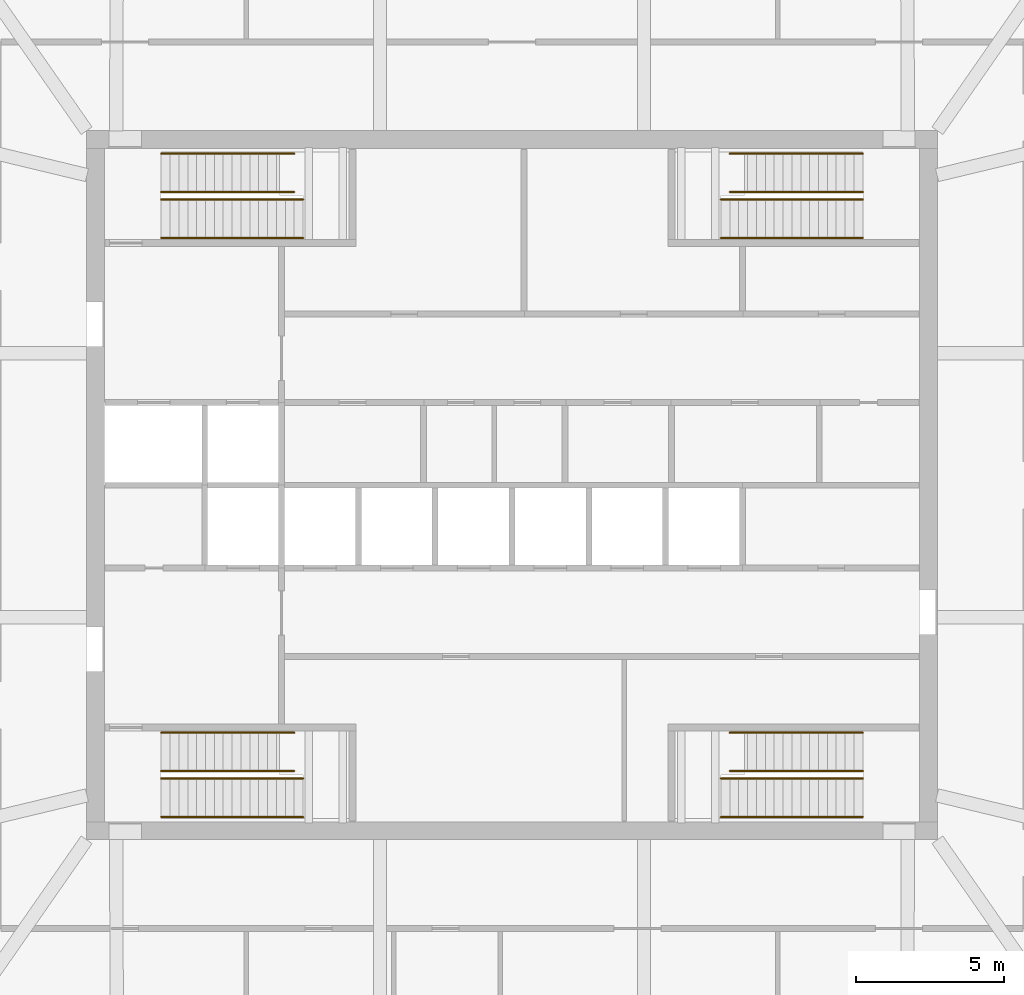
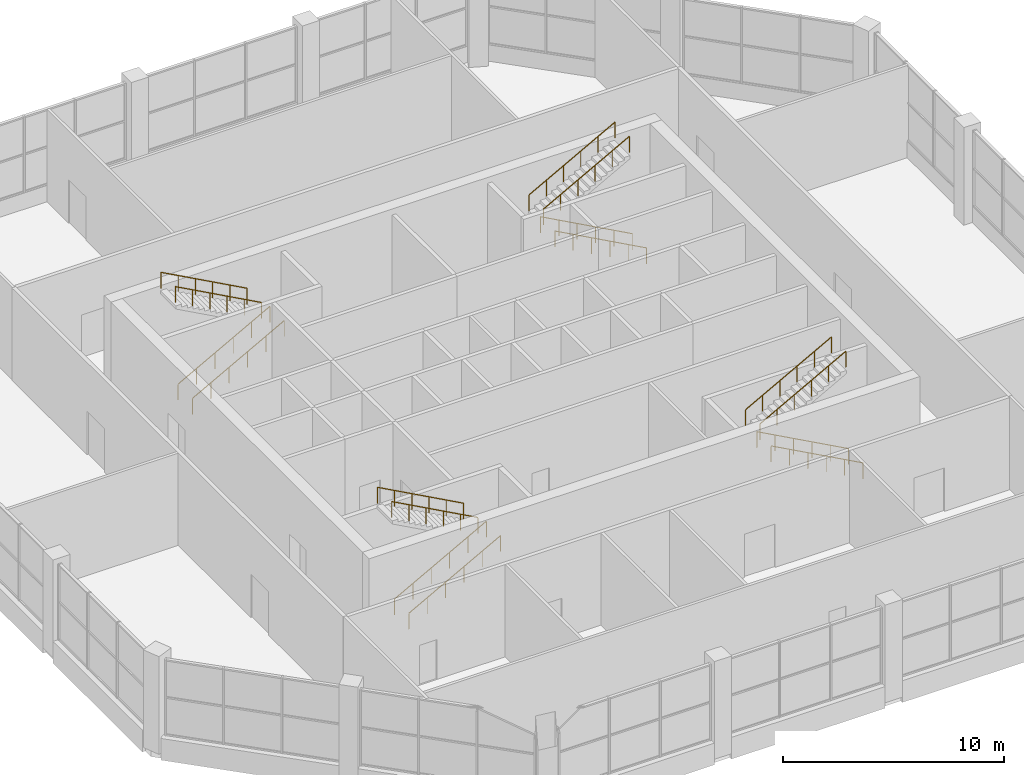
# One storey, part 15 of 15: 16 railings.
"""IFC4 building model written with IfcOpenShell, lengths in metres."""

from ifc_helpers import new_model, si_unit, direction, frame, origin, origin_2d, place, context, subcontext, project, spatial, circle, extrude, material, constituent, constituent_set, type_object, element, save


model = new_model("IFC4")

# Units and contexts
model_context = context("Model", 3, precision=1e-05, world=origin(), true_north=direction((0.0, 1.0)))
body_context = subcontext(model_context, "Body", "Model", "MODEL_VIEW")
ifc_project = project(units=[si_unit("LENGTHUNIT", "METRE"), si_unit("AREAUNIT", "SQUARE_METRE"), si_unit("VOLUMEUNIT", "CUBIC_METRE"), si_unit("PLANEANGLEUNIT", "RADIAN"), si_unit("MASSUNIT", "GRAM", prefix="KILO")], contexts=[model_context])

# Site, building, storey
site_placement = place(None, origin())
site = spatial("IfcSite", under=ifc_project, at=site_placement, CompositionType="ELEMENT")
building_placement = place(site_placement, origin())
building = spatial("IfcBuilding", under=site, at=building_placement, Name="Msitu Wima Residences", CompositionType="ELEMENT")
storey_placement = place(building_placement, frame((0.0, 0.0, 314.699951171875)))
storey = spatial("IfcBuildingStorey", under=building, at=storey_placement, Name="L73", CompositionType="ELEMENT", Elevation=314.699951171875)

# Railings
ifc_material_1 = material(Name="Steel S355", Category="steel")
ifc_constituent_1 = constituent(ifc_material_1, Name="Steel S355")
ifc_material_2 = material(Name="Black powder coating")
ifc_constituent_2 = constituent(ifc_material_2, Name="Black powder coating")
ifc_constituent_set = constituent_set(constituents=[ifc_constituent_1, ifc_constituent_2], Name="Steel S355")
railing_type = type_object("IfcRailingType", Name="Stair handrail HR1", PredefinedType="HANDRAIL", material=ifc_constituent_set)
for number, where, name in (
    (1, (-11.875, 8.375, 0.16357421875), "Stair 1 handrail"),
    (2, (-11.875, 9.675048828125, 0.16357421875), "Stair 1 handrail"),
):
    element("IfcRailing", number, at=place(storey_placement, frame(where)), inside=storey, type_object=railing_type, Name=name, PredefinedType="HANDRAIL", context=body_context, shape_type="SweptSolid", body=[
        extrude(circle(Radius=0.02392578125, at=origin_2d()), frame((0.0, 0.0, 0.8759765625), z_axis=(0.877880214848, 0.0, 0.478880286061), x_axis=(0.0, 1.0, 0.0)), (0.0, 0.0, 1.0), 5.4677734375),
        extrude(circle(Radius=0.02099609375, at=origin_2d()), origin(), (0.0, 0.0, 1.0), 0.851806640625),
        extrude(circle(Radius=0.02099609375, at=origin_2d()), frame((0.9599609375, 0.0, 0.523681640625)), (0.0, 0.0, 1.0), 0.851806640625),
        extrude(circle(Radius=0.02099609375, at=origin_2d()), frame((1.919921875, 0.0, 1.04736328125)), (0.0, 0.0, 1.0), 0.851806640625),
        extrude(circle(Radius=0.02099609375, at=origin_2d()), frame((2.880126953125, 0.0, 1.571044921875)), (0.0, 0.0, 1.0), 0.851806640625),
        extrude(circle(Radius=0.02099609375, at=origin_2d()), frame((3.840087890625, 0.0, 2.0947265625)), (0.0, 0.0, 1.0), 0.851806640625),
        extrude(circle(Radius=0.02099609375, at=origin_2d()), frame((4.800048828125, 0.0, 2.618408203125)), (0.0, 0.0, 1.0), 0.851806640625),
    ])
for number, where, name in (
    (3, (-7.375, 9.925048828125, 2.945556640625), "Stair 1 handrail"),
    (4, (-7.375, 11.22509765625, 2.945556640625), "Stair 1 handrail"),
):
    element("IfcRailing", number, at=place(storey_placement, frame(where)), inside=storey, type_object=railing_type, Name=name, PredefinedType="HANDRAIL", context=body_context, shape_type="SweptSolid", body=[
        extrude(circle(Radius=0.02392578125, at=origin_2d()), frame((0.0, 0.0, 0.8759765625), z_axis=(-0.87789193248, 0.0, 0.47885880475), x_axis=(0.0, -1.0, 0.0)), (0.0, 0.0, 1.0), 5.1259765625),
        extrude(circle(Radius=0.02099609375, at=origin_2d()), origin(), (0.0, 0.0, 1.0), 0.851806640625),
        extrude(circle(Radius=0.02099609375, at=origin_2d()), frame((-0.89990234375, 0.0, 0.490966796875)), (0.0, 0.0, 1.0), 0.851806640625),
        extrude(circle(Radius=0.02099609375, at=origin_2d()), frame((-1.800048828125, 0.0, 0.98193359375)), (0.0, 0.0, 1.0), 0.851806640625),
        extrude(circle(Radius=0.02099609375, at=origin_2d()), frame((-2.699951171875, 0.0, 1.47265625)), (0.0, 0.0, 1.0), 0.851806640625),
        extrude(circle(Radius=0.02099609375, at=origin_2d()), frame((-3.60009765625, 0.0, 1.963623046875)), (0.0, 0.0, 1.0), 0.851806640625),
        extrude(circle(Radius=0.02099609375, at=origin_2d()), frame((-4.5, 0.0, 2.45458984375)), (0.0, 0.0, 1.0), 0.851806640625),
    ])
for number, where, name in (
    (5, (-11.875, -11.22509765625, 0.16357421875), "Stair 2 handrail"),
    (6, (-11.875, -9.925048828125, 0.16357421875), "Stair 2 handrail"),
):
    element("IfcRailing", number, at=place(storey_placement, frame(where)), inside=storey, type_object=railing_type, Name=name, PredefinedType="HANDRAIL", context=body_context, shape_type="SweptSolid", body=[
        extrude(circle(Radius=0.02392578125, at=origin_2d()), frame((0.0, 0.0, 0.8759765625), z_axis=(0.877880214848, 0.0, 0.478880286061), x_axis=(0.0, 1.0, 0.0)), (0.0, 0.0, 1.0), 5.4677734375),
        extrude(circle(Radius=0.02099609375, at=origin_2d()), origin(), (0.0, 0.0, 1.0), 0.851806640625),
        extrude(circle(Radius=0.02099609375, at=origin_2d()), frame((0.9599609375, 0.0, 0.523681640625)), (0.0, 0.0, 1.0), 0.851806640625),
        extrude(circle(Radius=0.02099609375, at=origin_2d()), frame((1.919921875, 0.0, 1.04736328125)), (0.0, 0.0, 1.0), 0.851806640625),
        extrude(circle(Radius=0.02099609375, at=origin_2d()), frame((2.880126953125, 0.0, 1.571044921875)), (0.0, 0.0, 1.0), 0.851806640625),
        extrude(circle(Radius=0.02099609375, at=origin_2d()), frame((3.840087890625, 0.0, 2.0947265625)), (0.0, 0.0, 1.0), 0.851806640625),
        extrude(circle(Radius=0.02099609375, at=origin_2d()), frame((4.800048828125, 0.0, 2.618408203125)), (0.0, 0.0, 1.0), 0.851806640625),
    ])
for number, where, name in (
    (7, (-7.375, -9.675048828125, 2.945556640625), "Stair 2 handrail"),
    (8, (-7.375, -8.375, 2.945556640625), "Stair 2 handrail"),
):
    element("IfcRailing", number, at=place(storey_placement, frame(where)), inside=storey, type_object=railing_type, Name=name, PredefinedType="HANDRAIL", context=body_context, shape_type="SweptSolid", body=[
        extrude(circle(Radius=0.02392578125, at=origin_2d()), frame((0.0, 0.0, 0.8759765625), z_axis=(-0.87789193248, 0.0, 0.47885880475), x_axis=(0.0, -1.0, 0.0)), (0.0, 0.0, 1.0), 5.1259765625),
        extrude(circle(Radius=0.02099609375, at=origin_2d()), origin(), (0.0, 0.0, 1.0), 0.851806640625),
        extrude(circle(Radius=0.02099609375, at=origin_2d()), frame((-0.89990234375, 0.0, 0.490966796875)), (0.0, 0.0, 1.0), 0.851806640625),
        extrude(circle(Radius=0.02099609375, at=origin_2d()), frame((-1.800048828125, 0.0, 0.98193359375)), (0.0, 0.0, 1.0), 0.851806640625),
        extrude(circle(Radius=0.02099609375, at=origin_2d()), frame((-2.699951171875, 0.0, 1.47265625)), (0.0, 0.0, 1.0), 0.851806640625),
        extrude(circle(Radius=0.02099609375, at=origin_2d()), frame((-3.60009765625, 0.0, 1.963623046875)), (0.0, 0.0, 1.0), 0.851806640625),
        extrude(circle(Radius=0.02099609375, at=origin_2d()), frame((-4.5, 0.0, 2.45458984375)), (0.0, 0.0, 1.0), 0.851806640625),
    ])
for number, where, name in (
    (9, (11.875, 8.375, 0.16357421875), "Stair 3 handrail"),
    (10, (11.875, 9.675048828125, 0.16357421875), "Stair 3 handrail"),
):
    element("IfcRailing", number, at=place(storey_placement, frame(where)), inside=storey, type_object=railing_type, Name=name, PredefinedType="HANDRAIL", context=body_context, shape_type="SweptSolid", body=[
        extrude(circle(Radius=0.02392578125, at=origin_2d()), frame((0.0, 0.0, 0.8759765625), z_axis=(-0.877880214848, 0.0, 0.478880286061), x_axis=(0.0, -1.0, 0.0)), (0.0, 0.0, 1.0), 5.4677734375),
        extrude(circle(Radius=0.02099609375, at=origin_2d()), origin(), (0.0, 0.0, 1.0), 0.851806640625),
        extrude(circle(Radius=0.02099609375, at=origin_2d()), frame((-0.9599609375, 0.0, 0.523681640625)), (0.0, 0.0, 1.0), 0.851806640625),
        extrude(circle(Radius=0.02099609375, at=origin_2d()), frame((-1.919921875, 0.0, 1.04736328125)), (0.0, 0.0, 1.0), 0.851806640625),
        extrude(circle(Radius=0.02099609375, at=origin_2d()), frame((-2.880126953125, 0.0, 1.571044921875)), (0.0, 0.0, 1.0), 0.851806640625),
        extrude(circle(Radius=0.02099609375, at=origin_2d()), frame((-3.840087890625, 0.0, 2.0947265625)), (0.0, 0.0, 1.0), 0.851806640625),
        extrude(circle(Radius=0.02099609375, at=origin_2d()), frame((-4.800048828125, 0.0, 2.618408203125)), (0.0, 0.0, 1.0), 0.851806640625),
    ])
for number, where, name in (
    (11, (7.375, 9.925048828125, 2.945556640625), "Stair 3 handrail"),
    (12, (7.375, 11.22509765625, 2.945556640625), "Stair 3 handrail"),
):
    element("IfcRailing", number, at=place(storey_placement, frame(where)), inside=storey, type_object=railing_type, Name=name, PredefinedType="HANDRAIL", context=body_context, shape_type="SweptSolid", body=[
        extrude(circle(Radius=0.02392578125, at=origin_2d()), frame((0.0, 0.0, 0.8759765625), z_axis=(0.87789193248, 0.0, 0.47885880475), x_axis=(0.0, 1.0, 0.0)), (0.0, 0.0, 1.0), 5.1259765625),
        extrude(circle(Radius=0.02099609375, at=origin_2d()), origin(), (0.0, 0.0, 1.0), 0.851806640625),
        extrude(circle(Radius=0.02099609375, at=origin_2d()), frame((0.89990234375, 0.0, 0.490966796875)), (0.0, 0.0, 1.0), 0.851806640625),
        extrude(circle(Radius=0.02099609375, at=origin_2d()), frame((1.800048828125, 0.0, 0.98193359375)), (0.0, 0.0, 1.0), 0.851806640625),
        extrude(circle(Radius=0.02099609375, at=origin_2d()), frame((2.699951171875, 0.0, 1.47265625)), (0.0, 0.0, 1.0), 0.851806640625),
        extrude(circle(Radius=0.02099609375, at=origin_2d()), frame((3.60009765625, 0.0, 1.963623046875)), (0.0, 0.0, 1.0), 0.851806640625),
        extrude(circle(Radius=0.02099609375, at=origin_2d()), frame((4.5, 0.0, 2.45458984375)), (0.0, 0.0, 1.0), 0.851806640625),
    ])
for number, where, name in (
    (13, (11.875, -11.22509765625, 0.16357421875), "Stair 4 handrail"),
    (14, (11.875, -9.925048828125, 0.16357421875), "Stair 4 handrail"),
):
    element("IfcRailing", number, at=place(storey_placement, frame(where)), inside=storey, type_object=railing_type, Name=name, PredefinedType="HANDRAIL", context=body_context, shape_type="SweptSolid", body=[
        extrude(circle(Radius=0.02392578125, at=origin_2d()), frame((0.0, 0.0, 0.8759765625), z_axis=(-0.877880214848, 0.0, 0.478880286061), x_axis=(0.0, -1.0, 0.0)), (0.0, 0.0, 1.0), 5.4677734375),
        extrude(circle(Radius=0.02099609375, at=origin_2d()), origin(), (0.0, 0.0, 1.0), 0.851806640625),
        extrude(circle(Radius=0.02099609375, at=origin_2d()), frame((-0.9599609375, 0.0, 0.523681640625)), (0.0, 0.0, 1.0), 0.851806640625),
        extrude(circle(Radius=0.02099609375, at=origin_2d()), frame((-1.919921875, 0.0, 1.04736328125)), (0.0, 0.0, 1.0), 0.851806640625),
        extrude(circle(Radius=0.02099609375, at=origin_2d()), frame((-2.880126953125, 0.0, 1.571044921875)), (0.0, 0.0, 1.0), 0.851806640625),
        extrude(circle(Radius=0.02099609375, at=origin_2d()), frame((-3.840087890625, 0.0, 2.0947265625)), (0.0, 0.0, 1.0), 0.851806640625),
        extrude(circle(Radius=0.02099609375, at=origin_2d()), frame((-4.800048828125, 0.0, 2.618408203125)), (0.0, 0.0, 1.0), 0.851806640625),
    ])
for number, where, name in (
    (15, (7.375, -9.675048828125, 2.945556640625), "Stair 4 handrail"),
    (16, (7.375, -8.375, 2.945556640625), "Stair 4 handrail"),
):
    element("IfcRailing", number, at=place(storey_placement, frame(where)), inside=storey, type_object=railing_type, Name=name, PredefinedType="HANDRAIL", context=body_context, shape_type="SweptSolid", body=[
        extrude(circle(Radius=0.02392578125, at=origin_2d()), frame((0.0, 0.0, 0.8759765625), z_axis=(0.87789193248, 0.0, 0.47885880475), x_axis=(0.0, 1.0, 0.0)), (0.0, 0.0, 1.0), 5.1259765625),
        extrude(circle(Radius=0.02099609375, at=origin_2d()), origin(), (0.0, 0.0, 1.0), 0.851806640625),
        extrude(circle(Radius=0.02099609375, at=origin_2d()), frame((0.89990234375, 0.0, 0.490966796875)), (0.0, 0.0, 1.0), 0.851806640625),
        extrude(circle(Radius=0.02099609375, at=origin_2d()), frame((1.800048828125, 0.0, 0.98193359375)), (0.0, 0.0, 1.0), 0.851806640625),
        extrude(circle(Radius=0.02099609375, at=origin_2d()), frame((2.699951171875, 0.0, 1.47265625)), (0.0, 0.0, 1.0), 0.851806640625),
        extrude(circle(Radius=0.02099609375, at=origin_2d()), frame((3.60009765625, 0.0, 1.963623046875)), (0.0, 0.0, 1.0), 0.851806640625),
        extrude(circle(Radius=0.02099609375, at=origin_2d()), frame((4.5, 0.0, 2.45458984375)), (0.0, 0.0, 1.0), 0.851806640625),
    ])

save(model, "model.ifc")
